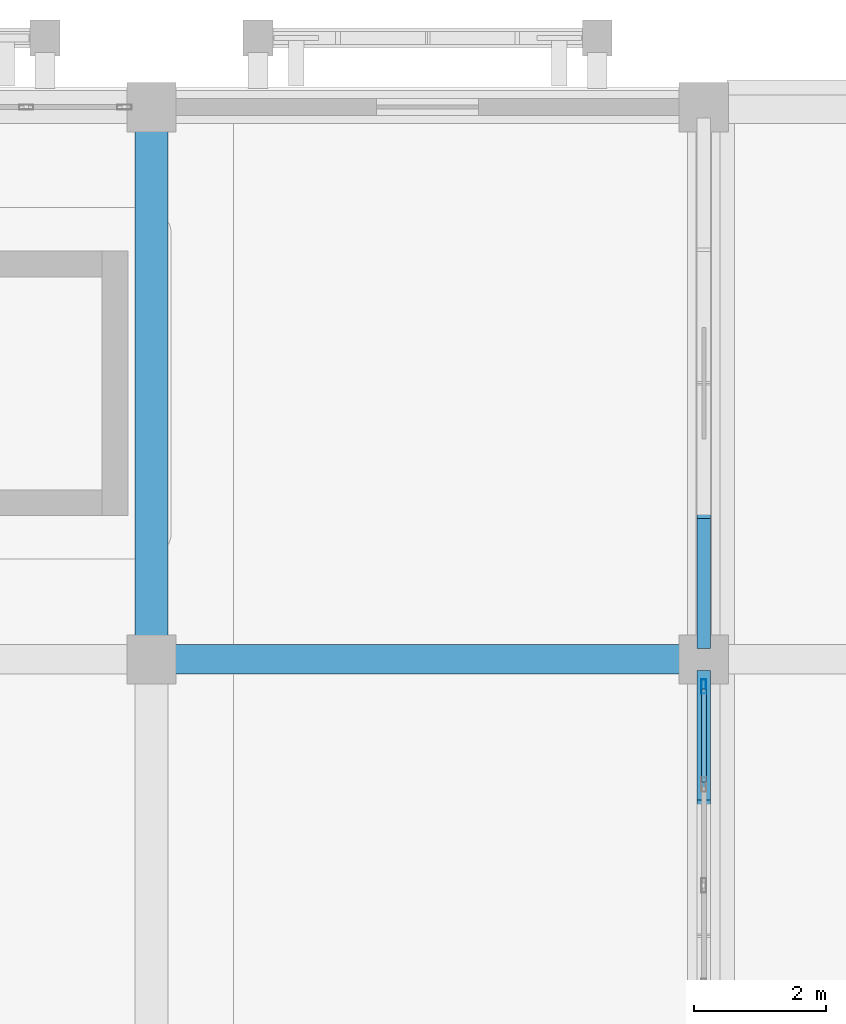
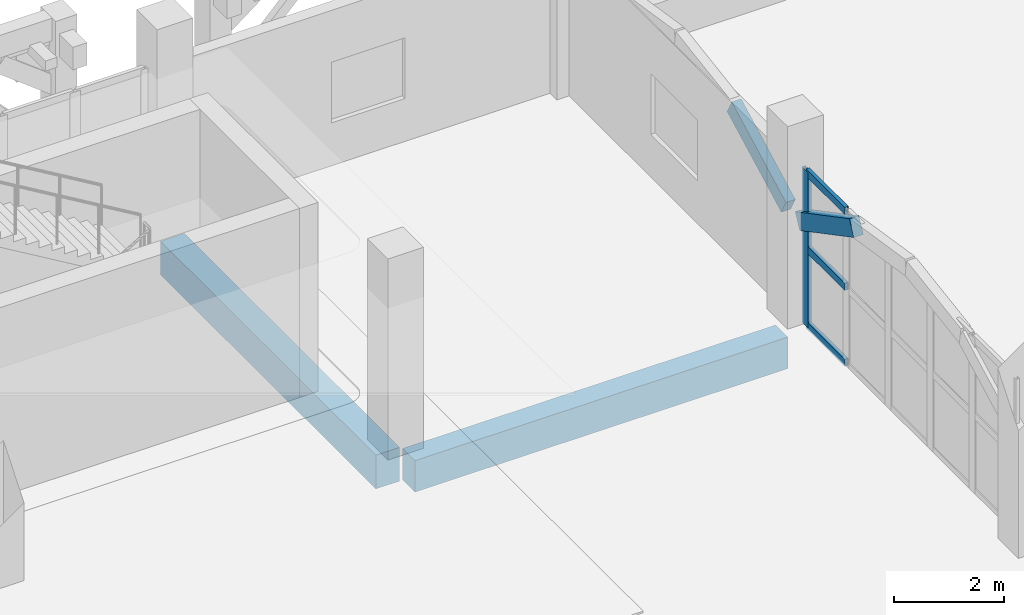
# One storey, part 16 of 34: 6 members, 2 beams, 1 element without a shape of its own.
"""IFC4 building model written with IfcOpenShell, lengths in metres."""

from ifc_helpers import new_model, si_unit, direction, frame, origin, origin_2d, place, context, subcontext, project, spatial, rectangle, hollow_rectangle, extrude, material, layer, layer_set, material_profile, profile_set, type_object, element, aggregate, save


model = new_model("IFC4")

# Units and contexts
model_context = context("Model", 3, precision=1e-05, world=origin(), true_north=direction((0.0, 1.0)))
body_context = subcontext(model_context, "Body", "Model", "MODEL_VIEW")
ifc_project = project(units=[si_unit("LENGTHUNIT", "METRE"), si_unit("AREAUNIT", "SQUARE_METRE"), si_unit("VOLUMEUNIT", "CUBIC_METRE"), si_unit("PLANEANGLEUNIT", "RADIAN"), si_unit("MASSUNIT", "GRAM", prefix="KILO")], contexts=[model_context])

# Site, building, storey
site_placement = place(None, origin())
site = spatial("IfcSite", under=ifc_project, at=site_placement, CompositionType="ELEMENT")
building_placement = place(site_placement, origin())
building = spatial("IfcBuilding", under=site, at=building_placement, Name="Xazarin Passage Department Store", CompositionType="ELEMENT")
storey_placement = place(building_placement, frame((0.0, 0.0, 18.89990234375)))
storey = spatial("IfcBuildingStorey", under=building, at=storey_placement, Name="L04", CompositionType="ELEMENT", Elevation=18.89990234375)

# Curtain wall, members
ifc_material_1 = material(Name="Bronze anodised aluminium", Category="aluminium")
ifc_layer = layer(ifc_material_1, 0.199951171875)
ifc_layer_set = layer_set([ifc_layer], Name="Bronze anodised aluminium")
curtain_wall_type = type_object("IfcCurtainWallType", Name="ARC-CW-VIT2", PredefinedType="NOTDEFINED", material=ifc_layer_set)
curtain_wall_placement = place(storey_placement, origin())
curtain_wall = element("IfcCurtainWall", 1, at=curtain_wall_placement, inside=storey, type_object=curtain_wall_type, Name="L04 V1 Curtain Wall 075", PredefinedType="NOTDEFINED")
ifc_material_profile_1 = material_profile(ifc_material_1, hollow_rectangle(XDim=0.074951171875, YDim=0.219970703125, WallThickness=0.0048828125, at=origin_2d()), Name="ALU 75x220")
ifc_profile_set_1 = profile_set([ifc_material_profile_1], Name="Bronze anodised aluminium")
member_type_1 = type_object("IfcMemberType", Name="ARC-CWM-75x220", PredefinedType="MULLION", material=ifc_profile_set_1)
member_1_placement = place(storey_placement, frame((42.0, 101.1875, 0.0), z_axis=(0.0, 0.0, 1.0), x_axis=(-1.0, 0.0, 0.0)))
member_1 = element("IfcMember", 2, at=member_1_placement, type_object=member_type_1, Name="CW2 mullion 6", PredefinedType="MULLION", context=body_context, shape_type="SweptSolid", body=[
    extrude(hollow_rectangle(XDim=0.074951171875, YDim=0.219970703125, WallThickness=0.0048828125, at=origin_2d()), origin(), (0.0, 0.0, 1.0), 3.4501953125),
])
ifc_material_profile_2 = material_profile(ifc_material_1, hollow_rectangle(XDim=0.074951171875, YDim=0.159912109375, WallThickness=0.00439453125, at=origin_2d()), Name="ALU 75x160")
ifc_profile_set_2 = profile_set([ifc_material_profile_2], Name="Bronze anodised aluminium")
member_type_2 = type_object("IfcMemberType", Name="ARC-CWT-75x160", PredefinedType="USERDEFINED", material=ifc_profile_set_2)
member_2_placement = place(storey_placement, frame((42.0, 99.732421875, 0.03759765625), z_axis=(0.0, 1.0, 0.0), x_axis=(-1.0, 0.0, 0.0)))
member_2 = element("IfcMember", 3, at=member_2_placement, type_object=member_type_2, Name="CW2 transom 5.1", ObjectType="TRANSOM", PredefinedType="USERDEFINED", context=body_context, shape_type="SweptSolid", body=[
    extrude(hollow_rectangle(XDim=0.074951171875, YDim=0.159912109375, WallThickness=0.00439453125, at=origin_2d()), origin(), (0.0, 0.0, 1.0), 1.41748046875),
])
member_3_placement = place(storey_placement, frame((42.0, 99.732421875, 1.72509765625), z_axis=(0.0, 1.0, 0.0), x_axis=(-1.0, 0.0, 0.0)))
member_3 = element("IfcMember", 4, at=member_3_placement, type_object=member_type_2, Name="CW2 transom 5.2", ObjectType="TRANSOM", PredefinedType="USERDEFINED", context=body_context, shape_type="SweptSolid", body=[
    extrude(hollow_rectangle(XDim=0.074951171875, YDim=0.159912109375, WallThickness=0.00439453125, at=origin_2d()), origin(), (0.0, 0.0, 1.0), 1.41748046875),
])
member_4_placement = place(storey_placement, frame((42.0, 99.732421875, 3.41259765625), z_axis=(0.0, 1.0, 0.0), x_axis=(-1.0, 0.0, 0.0)))
member_4 = element("IfcMember", 5, at=member_4_placement, type_object=member_type_2, Name="CW2 transom 5.3", ObjectType="TRANSOM", PredefinedType="USERDEFINED", context=body_context, shape_type="SweptSolid", body=[
    extrude(hollow_rectangle(XDim=0.074951171875, YDim=0.159912109375, WallThickness=0.00439453125, at=origin_2d()), origin(), (0.0, 0.0, 1.0), 1.41748046875),
])
aggregate(curtain_wall, [member_1, member_2, member_3, member_4])

# Beams
ifc_material_2 = material(Name="Concrete C35/45", Category="concrete")
ifc_material_profile_3 = material_profile(ifc_material_2, rectangle(XDim=0.449951171875, YDim=0.699951171875, at=origin_2d()), Name="RC 450x700")
ifc_profile_set_3 = profile_set([ifc_material_profile_3], Name="Concrete C35/45")
beam_type_1 = type_object("IfcBeamType", Name="STR-BM-G450x700", PredefinedType="BEAM", material=ifc_profile_set_3)
beam_1_placement = place(storey_placement, frame((33.8798828125, 101.60009765625, -0.64990234375), z_axis=(1.0, 0.0, 0.0), x_axis=(0.0, 1.0, 0.0)))
element("IfcBeam", 6, at=beam_1_placement, inside=storey, type_object=beam_type_1, Name="L04 Grid Beam P/5-6", PredefinedType="BEAM", context=body_context, shape_type="SweptSolid", body=[
    extrude(rectangle(XDim=0.449951171875, YDim=0.699951171875, at=origin_2d()), origin(), (0.0, 0.0, 1.0), 7.840087890625),
])
ifc_material_profile_4 = material_profile(ifc_material_2, rectangle(XDim=0.5, YDim=0.75, at=origin_2d()), Name="RC 500x750")
ifc_profile_set_4 = profile_set([ifc_material_profile_4], Name="Concrete C35/45")
beam_type_2 = type_object("IfcBeamType", Name="STR-BM-SP500x750", PredefinedType="SPANDREL", material=ifc_profile_set_4)
beam_2_placement = place(storey_placement, frame((33.60009765625, 101.8798828125, -0.6748046875), z_axis=(0.0, 1.0, 0.0), x_axis=(-1.0, 0.0, 0.0)))
element("IfcBeam", 7, at=beam_2_placement, inside=storey, type_object=beam_type_2, Name="L04 Grid Beam 5/P-Q", PredefinedType="SPANDREL", context=body_context, shape_type="SweptSolid", body=[
    extrude(rectangle(XDim=0.5, YDim=0.75, at=origin_2d()), origin(), (0.0, 0.0, 1.0), 7.840087890625),
])

# Members
ifc_material_3 = material(Name="Concrete C40/50", Category="concrete")
ifc_material_profile_5 = material_profile(ifc_material_3, rectangle(XDim=0.199951171875, YDim=0.360107421875, at=origin_2d()), Name="RC 200x360")
ifc_profile_set_5 = profile_set([ifc_material_profile_5], Name="Concrete C40/50")
member_type_3 = type_object("IfcMemberType", Name="STR-MEM-ARC360", PredefinedType="CHORD", material=ifc_profile_set_5)
member_5_placement = place(storey_placement, frame((42.0, 99.375, 3.2705078125), z_axis=(0.0, 0.88473311603, -0.466097965454), x_axis=(-1.0, 0.0, 0.0)))
element("IfcMember", 8, at=member_5_placement, inside=storey, type_object=member_type_3, Name="L04 V1 Upper Setback Pierced Arch 026.4", PredefinedType="CHORD", context=body_context, shape_type="SweptSolid", body=[
    extrude(rectangle(XDim=0.199951171875, YDim=0.360107421875, at=origin_2d()), origin(), (0.0, 0.0, 1.0), 2.232421875),
])
member_6_placement = place(storey_placement, frame((42.0, 101.85009765625, 2.22998046875), z_axis=(0.0, 0.884709354127, 0.466143066793), x_axis=(-1.0, 0.0, 0.0)))
element("IfcMember", 9, at=member_6_placement, inside=storey, type_object=member_type_3, Name="L04 V1 Upper Setback Pierced Arch 027.1", PredefinedType="CHORD", context=body_context, shape_type="SweptSolid", body=[
    extrude(rectangle(XDim=0.199951171875, YDim=0.360107421875, at=origin_2d()), origin(), (0.0, 0.0, 1.0), 2.232177734375),
])

save(model, "model.ifc")
